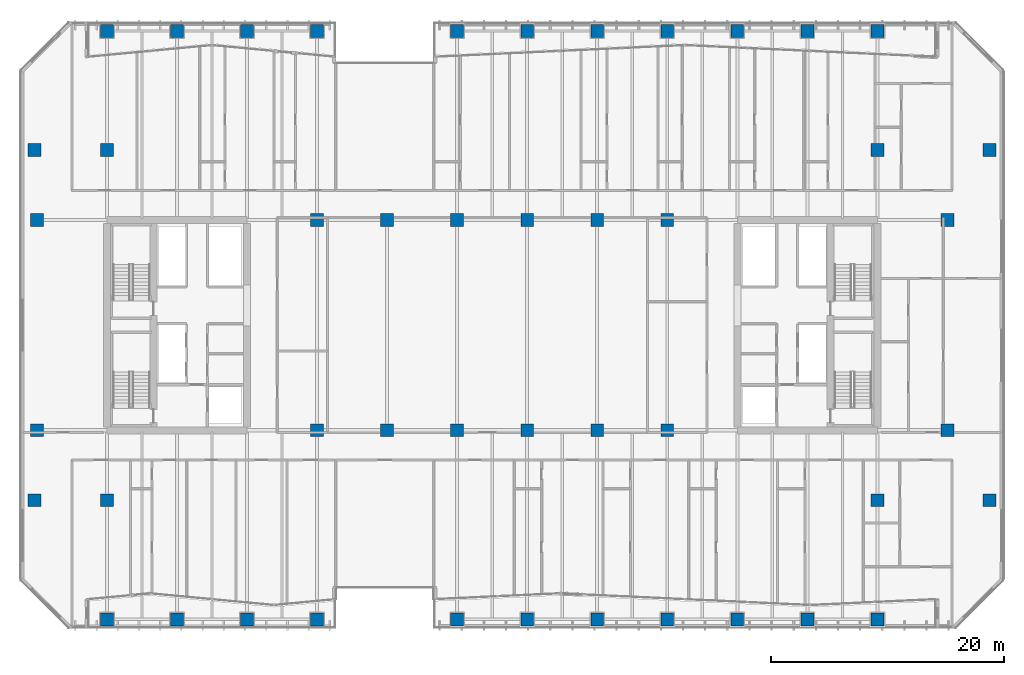
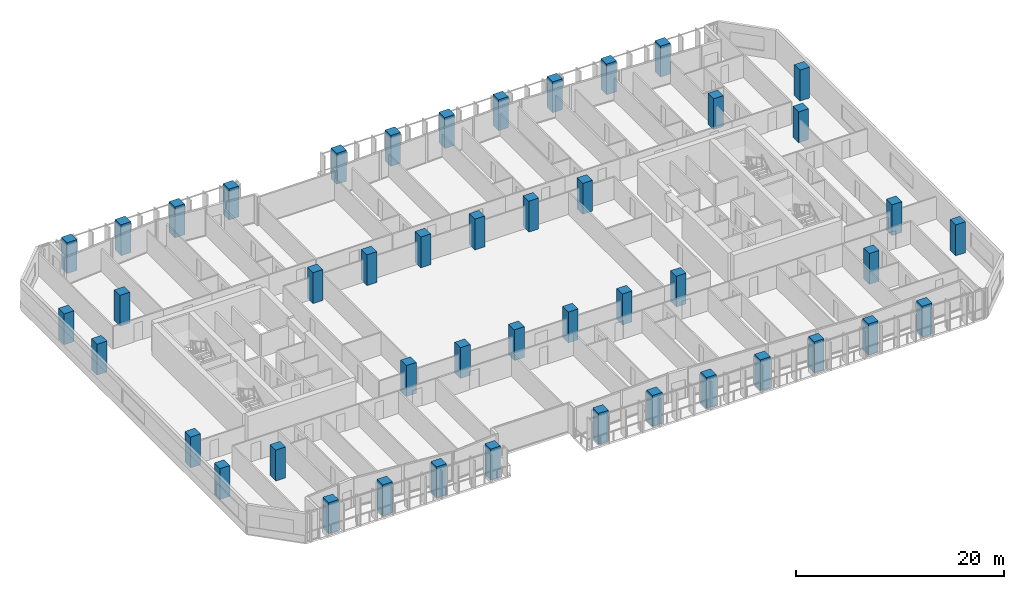
# One storey, part 1 of 31: 46 columns.
"""IFC4 building model written with IfcOpenShell, lengths in metres."""

from ifc_helpers import new_model, si_unit, direction, frame, origin, origin_2d, place, context, subcontext, project, spatial, rectangle, extrude, material, material_profile, profile_set, type_object, element, save


model = new_model("IFC4")

# Units and contexts
model_context = context("Model", 3, precision=1e-05, world=origin(), true_north=direction((0.0, 1.0)))
body_context = subcontext(model_context, "Body", "Model", "MODEL_VIEW")
ifc_project = project(units=[si_unit("LENGTHUNIT", "METRE"), si_unit("AREAUNIT", "SQUARE_METRE"), si_unit("VOLUMEUNIT", "CUBIC_METRE"), si_unit("PLANEANGLEUNIT", "RADIAN"), si_unit("MASSUNIT", "GRAM", prefix="KILO")], contexts=[model_context])

# Site, building, storey
site_placement = place(None, origin())
site = spatial("IfcSite", under=ifc_project, at=site_placement, CompositionType="ELEMENT")
building_placement = place(site_placement, origin())
building = spatial("IfcBuilding", under=site, at=building_placement, Name="Tanjung Sevakor Pilgrim Tower", CompositionType="ELEMENT")
storey_placement = place(building_placement, frame((0.0, 0.0, 58.739990234375)))
storey = spatial("IfcBuildingStorey", under=building, at=storey_placement, Name="L16", CompositionType="ELEMENT", Elevation=58.739990234375)

# Columns
ifc_material = material(Name="Concrete C60/75", Category="concrete")
ifc_material_profile = material_profile(ifc_material, rectangle(XDim=1.10009765625, YDim=1.10009765625, at=origin_2d()))
ifc_profile_set = profile_set([ifc_material_profile], Name="Concrete C60/75")
column_type = type_object("IfcColumnType", Name="COL-C-T1100-RC_1100x1100", PredefinedType="COLUMN", material=ifc_profile_set)
for number, where, z_axis, x_axis, name in (
    (1, (18.0, 24.60009765625, 0.0), (0.0, 0.0, 1.0), (1.0, 0.0, 0.0), "L16 Column SPW-018-246"),
    (2, (18.0, 42.60009765625, 0.0), (0.0, 0.0, 1.0), (1.0, 0.0, 0.0), "L16 Column SPW-018-426"),
    (3, (42.0, 24.60009765625, 0.0), (0.0, 0.0, 1.0), (1.0, 0.0, 0.0), "L16 Column SPW-042-246"),
    (4, (42.0, 42.60009765625, 0.0), (0.0, 0.0, 1.0), (1.0, 0.0, 0.0), "L16 Column SPW-042-426"),
    (5, (48.0, 24.60009765625, 0.0), (0.0, 0.0, 1.0), (1.0, 0.0, 0.0), "L16 Column SPW-048-246"),
    (6, (48.0, 42.60009765625, 0.0), (0.0, 0.0, 1.0), (1.0, 0.0, 0.0), "L16 Column SPW-048-426"),
    (7, (54.0, 24.60009765625, 0.0), (0.0, 0.0, 1.0), (1.0, 0.0, 0.0), "L16 Column SPE-054-246"),
    (8, (54.0, 42.60009765625, 0.0), (0.0, 0.0, 1.0), (1.0, 0.0, 0.0), "L16 Column SPE-054-426"),
    (9, (60.0, 24.60009765625, 0.0), (0.0, 0.0, 1.0), (1.0, 0.0, 0.0), "L16 Column SPE-060-246"),
    (10, (60.0, 42.60009765625, 0.0), (0.0, 0.0, 1.0), (1.0, 0.0, 0.0), "L16 Column SPE-060-426"),
    (11, (66.0, 24.60009765625, 0.0), (0.0, 0.0, 1.0), (1.0, 0.0, 0.0), "L16 Column SPE-066-246"),
    (12, (66.0, 42.60009765625, 0.0), (0.0, 0.0, 1.0), (1.0, 0.0, 0.0), "L16 Column SPE-066-426"),
    (13, (72.0, 24.60009765625, 0.0), (0.0, 0.0, 1.0), (1.0, 0.0, 0.0), "L16 Column SPE-072-246"),
    (14, (72.0, 42.60009765625, 0.0), (0.0, 0.0, 1.0), (1.0, 0.0, 0.0), "L16 Column SPE-072-426"),
    (15, (96.0, 24.60009765625, 0.0), (0.0, 0.0, 1.0), (1.0, 0.0, 0.0), "L16 Column SPE-096-246"),
    (16, (96.0, 42.60009765625, 0.0), (0.0, 0.0, 1.0), (1.0, 0.0, 0.0), "L16 Column SPE-096-426"),
    (17, (17.800048828125, 18.60009765625, 0.0), (0.0, 0.0, 1.0), (1.0, 0.0, 0.0), "L16 Column TCE-0178-186"),
    (18, (17.800048828125, 48.60009765625, 0.0), (0.0, 0.0, 1.0), (1.0, 0.0, 0.0), "L16 Column TCE-0178-486"),
    (19, (24.0, 18.60009765625, 0.0), (0.0, 0.0, 1.0), (1.0, 0.0, 0.0), "L16 Column TCE-0240-186"),
    (20, (24.0, 48.60009765625, 0.0), (0.0, 0.0, 1.0), (1.0, 0.0, 0.0), "L16 Column TCE-0240-486"),
    (21, (90.0, 18.60009765625, 0.0), (0.0, 0.0, 1.0), (1.0, 0.0, 0.0), "L16 Column TCE-0900-186"),
    (22, (90.0, 48.60009765625, 0.0), (0.0, 0.0, 1.0), (1.0, 0.0, 0.0), "L16 Column TCE-0900-486"),
    (23, (99.60009765625, 18.60009765625, 0.0), (0.0, 0.0, 1.0), (1.0, 0.0, 0.0), "L16 Column TCE-0996-186"),
    (24, (99.60009765625, 48.60009765625, 0.0), (0.0, 0.0, 1.0), (1.0, 0.0, 0.0), "L16 Column TCE-0996-486"),
    (25, (24.0, 8.39990234375, 0.0), (0.0, 0.0, 1.0), (1.0, 0.0, 0.0), "L16 Column TC1-024-084"),
    (26, (24.0, 58.800048828125, 0.0), (0.0, 0.0, 1.0), (1.0, 0.0, 0.0), "L16 Column TC1-024-588"),
    (27, (30.0, 8.39990234375, 0.0), (0.0, 0.0, 1.0), (1.0, 0.0, 0.0), "L16 Column TC1-030-084"),
    (28, (30.0, 58.800048828125, 0.0), (0.0, 0.0, 1.0), (1.0, 0.0, 0.0), "L16 Column TC1-030-588"),
    (29, (36.0, 8.39990234375, 0.0), (0.0, 0.0, 1.0), (1.0, 0.0, 0.0), "L16 Column TC1-036-084"),
    (30, (36.0, 58.800048828125, 0.0), (0.0, 0.0, 1.0), (1.0, 0.0, 0.0), "L16 Column TC1-036-588"),
    (31, (42.0, 8.39990234375, 0.0), (0.0, 0.0, 1.0), (1.0, 0.0, 0.0), "L16 Column TC1-042-084"),
    (32, (42.0, 58.800048828125, 0.0), (0.0, 0.0, 1.0), (1.0, 0.0, 0.0), "L16 Column TC1-042-588"),
    (33, (54.0, 8.39990234375, 0.0), (0.0, 0.0, 1.0), (1.0, 0.0, 0.0), "L16 Column TC1-054-084"),
    (34, (54.0, 58.800048828125, 0.0), (0.0, 0.0, 1.0), (1.0, 0.0, 0.0), "L16 Column TC1-054-588"),
    (35, (60.0, 8.39990234375, 0.0), (0.0, 0.0, 1.0), (1.0, 0.0, 0.0), "L16 Column TC1-060-084"),
    (36, (60.0, 58.800048828125, 0.0), (0.0, 0.0, 1.0), (1.0, 0.0, 0.0), "L16 Column TC1-060-588"),
    (37, (66.0, 8.39990234375, 0.0), (0.0, 0.0, 1.0), (1.0, 0.0, 0.0), "L16 Column TC1-066-084"),
    (38, (66.0, 58.800048828125, 0.0), (0.0, 0.0, 1.0), (1.0, 0.0, 0.0), "L16 Column TC1-066-588"),
    (39, (72.0, 8.39990234375, 0.0), (0.0, 0.0, 1.0), (1.0, 0.0, 0.0), "L16 Column TC1-072-084"),
    (40, (72.0, 58.800048828125, 0.0), (0.0, 0.0, 1.0), (1.0, 0.0, 0.0), "L16 Column TC1-072-588"),
    (41, (78.0, 8.39990234375, 0.0), (0.0, 0.0, 1.0), (1.0, 0.0, 0.0), "L16 Column TC1-078-084"),
    (42, (78.0, 58.800048828125, 0.0), (0.0, 0.0, 1.0), (1.0, 0.0, 0.0), "L16 Column TC1-078-588"),
    (43, (84.0, 8.39990234375, 0.0), (0.0, 0.0, 1.0), (1.0, 0.0, 0.0), "L16 Column TC1-084-084"),
    (44, (84.0, 58.800048828125, 0.0), (0.0, 0.0, 1.0), (1.0, 0.0, 0.0), "L16 Column TC1-084-588"),
    (45, (90.0, 8.39990234375, 0.0), (0.0, 0.0, 1.0), (1.0, 0.0, 0.0), "L16 Column TC1-090-084"),
    (46, (90.0, 58.800048828125, 0.0), (0.0, 0.0, 1.0), (1.0, 0.0, 0.0), "L16 Column TC1-090-588"),
):
    element("IfcColumn", number, at=place(storey_placement, frame(where, z_axis=z_axis, x_axis=x_axis)), inside=storey, type_object=column_type, Name=name, PredefinedType="COLUMN", context=body_context, shape_type="SweptSolid", body=[
        extrude(rectangle(XDim=1.10009765625, YDim=1.10009765625, at=origin_2d()), origin(), (0.0, 0.0, 1.0), 3.630126953125),
    ])

save(model, "model.ifc")
